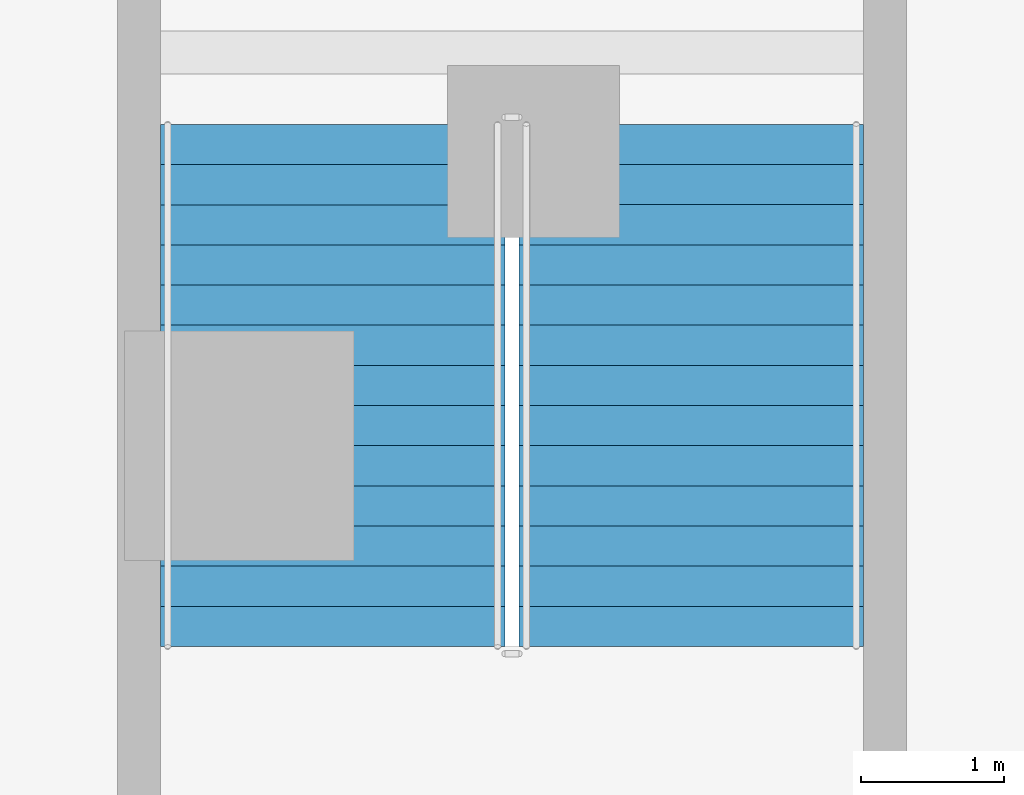
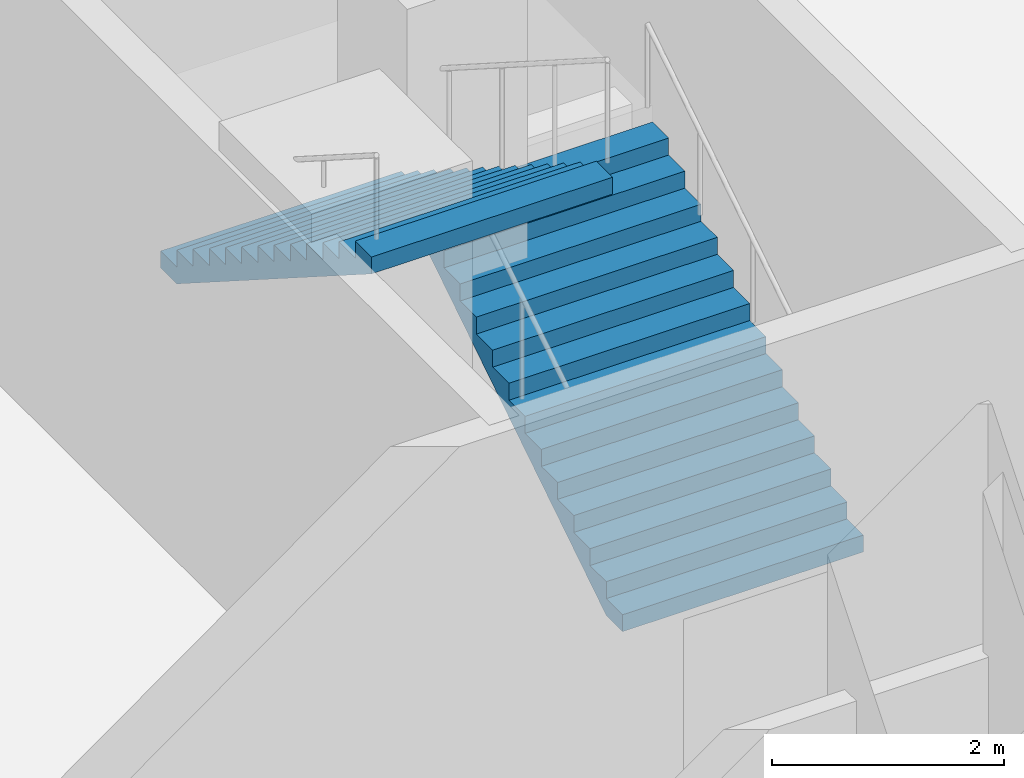
# One storey, part 21 of 35: 2 stair flights, 1 element without a shape of its own.
"""IFC4 building model written with IfcOpenShell, lengths in metres."""

from ifc_helpers import new_model, si_unit, direction, frame, origin, place, context, subcontext, project, spatial, triangles, source, transform, mapped, material, type_object, element, aggregate, save


model = new_model("IFC4")

# Units and contexts
model_context = context("Model", 3, precision=1e-05, world=origin(), true_north=direction((0.0, 1.0)))
body_context = subcontext(model_context, "Body", "Model", "MODEL_VIEW")
ifc_project = project(units=[si_unit("LENGTHUNIT", "METRE"), si_unit("AREAUNIT", "SQUARE_METRE"), si_unit("VOLUMEUNIT", "CUBIC_METRE"), si_unit("PLANEANGLEUNIT", "RADIAN"), si_unit("MASSUNIT", "GRAM", prefix="KILO")], contexts=[model_context])

# Site, building, storey
site_placement = place(None, origin())
site = spatial("IfcSite", under=ifc_project, at=site_placement, CompositionType="ELEMENT")
building_placement = place(site_placement, origin())
building = spatial("IfcBuilding", under=site, at=building_placement, Name="Ogive Portal Towers", CompositionType="ELEMENT")
storey_placement = place(building_placement, frame((0.0, 0.0, 18.5)))
storey = spatial("IfcBuildingStorey", under=building, at=storey_placement, Name="L03", CompositionType="ELEMENT", Elevation=18.5)

# Stair, stair flights
ifc_material = material(Name="Concrete C40/50", Category="concrete")
stair_type = type_object("IfcStairType", Name="INT-STAIR", PredefinedType="HALF_TURN_STAIR", material=ifc_material)
stair_placement = place(storey_placement, origin())
stair = element("IfcStair", 1, at=stair_placement, inside=storey, type_object=stair_type, Name="L03 Exit Stair ST-P1", PredefinedType="HALF_TURN_STAIR")
stair_flight_type = type_object("IfcStairFlightType", Name="INT-FLIGHT", PredefinedType="STRAIGHT", material=ifc_material)
shared_shape = source(origin(), body_context, "Body", "Tessellation", [
    triangles([(0.0, -1.199951171875, 0.0), (0.0, -0.6943359375, 0.0), (0.0, -0.35546875, 0.0), (0.0, -0.14990234375, 0.0), (0.0, -0.04443359375, 0.0), (0.0, -0.005615234375, 0.0), (0.0, 0.0, 0.0), (0.0, 0.005615234375, 0.0), (0.0, 0.04443359375, 0.0), (0.0, 0.14990234375, 0.0), (0.0, 0.35546875, 0.0), (0.0, 0.6943359375, 0.0), (0.0, 1.199951171875, 0.0), (0.0, -1.199951171875, 0.178466796875), (0.0, -0.6943359375, 0.178466796875), (0.0, -0.35546875, 0.178466796875), (0.0, -0.14990234375, 0.178466796875), (0.0, -0.04443359375, 0.178466796875), (0.0, -0.005615234375, 0.178466796875), (0.0, 0.0, 0.178466796875), (0.0, 0.005615234375, 0.178466796875), (0.0, 0.04443359375, 0.178466796875), (0.0, 0.14990234375, 0.178466796875), (0.0, 0.35546875, 0.178466796875), (0.0, 0.6943359375, 0.178466796875), (0.0, 1.199951171875, 0.178466796875), (0.280029296875, -1.199951171875, 0.178466796875), (0.280029296875, -0.6943359375, 0.178466796875), (0.280029296875, -0.35546875, 0.178466796875), (0.280029296875, -0.14990234375, 0.178466796875), (0.280029296875, -0.04443359375, 0.178466796875), (0.280029296875, -0.005615234375, 0.178466796875), (0.280029296875, 0.0, 0.178466796875), (0.280029296875, 0.005615234375, 0.178466796875), (0.280029296875, 0.04443359375, 0.178466796875), (0.280029296875, 0.14990234375, 0.178466796875), (0.280029296875, 0.35546875, 0.178466796875), (0.280029296875, 0.6943359375, 0.178466796875), (0.280029296875, 1.199951171875, 0.178466796875), (0.280029296875, -1.199951171875, 0.357177734375), (0.280029296875, -0.6943359375, 0.357177734375), (0.280029296875, -0.35546875, 0.357177734375), (0.280029296875, -0.14990234375, 0.357177734375), (0.280029296875, -0.04443359375, 0.357177734375), (0.280029296875, -0.005615234375, 0.357177734375), (0.280029296875, 0.0, 0.357177734375), (0.280029296875, 0.005615234375, 0.357177734375), (0.280029296875, 0.04443359375, 0.357177734375), (0.280029296875, 0.14990234375, 0.357177734375), (0.280029296875, 0.35546875, 0.357177734375), (0.280029296875, 0.6943359375, 0.357177734375), (0.280029296875, 1.199951171875, 0.357177734375), (0.56005859375, -1.199951171875, 0.357177734375), (0.56005859375, -0.6943359375, 0.357177734375), (0.56005859375, -0.35546875, 0.357177734375), (0.56005859375, -0.14990234375, 0.357177734375), (0.56005859375, -0.04443359375, 0.357177734375), (0.56005859375, -0.005615234375, 0.357177734375), (0.56005859375, 0.0, 0.357177734375), (0.56005859375, 0.005615234375, 0.357177734375), (0.56005859375, 0.04443359375, 0.357177734375), (0.56005859375, 0.14990234375, 0.357177734375), (0.56005859375, 0.35546875, 0.357177734375), (0.56005859375, 0.6943359375, 0.357177734375), (0.56005859375, 1.199951171875, 0.357177734375), (0.56005859375, -1.199951171875, 0.53564453125), (0.56005859375, -0.6943359375, 0.53564453125), (0.56005859375, -0.35546875, 0.53564453125), (0.56005859375, -0.14990234375, 0.53564453125), (0.56005859375, -0.04443359375, 0.53564453125), (0.56005859375, -0.005615234375, 0.53564453125), (0.56005859375, 0.0, 0.53564453125), (0.56005859375, 0.005615234375, 0.53564453125), (0.56005859375, 0.04443359375, 0.53564453125), (0.56005859375, 0.14990234375, 0.53564453125), (0.56005859375, 0.35546875, 0.53564453125), (0.56005859375, 0.6943359375, 0.53564453125), (0.56005859375, 1.199951171875, 0.53564453125), (0.840087890625, -1.199951171875, 0.53564453125), (0.840087890625, -0.6943359375, 0.53564453125), (0.840087890625, -0.35546875, 0.53564453125), (0.840087890625, -0.14990234375, 0.53564453125), (0.840087890625, -0.04443359375, 0.53564453125), (0.840087890625, -0.005615234375, 0.53564453125), (0.840087890625, 0.0, 0.53564453125), (0.840087890625, 0.005615234375, 0.53564453125), (0.840087890625, 0.04443359375, 0.53564453125), (0.840087890625, 0.14990234375, 0.53564453125), (0.840087890625, 0.35546875, 0.53564453125), (0.840087890625, 0.6943359375, 0.53564453125), (0.840087890625, 1.199951171875, 0.53564453125), (0.840087890625, -1.199951171875, 0.71435546875), (0.840087890625, -0.6943359375, 0.71435546875), (0.840087890625, -0.35546875, 0.71435546875), (0.840087890625, -0.14990234375, 0.71435546875), (0.840087890625, -0.04443359375, 0.71435546875), (0.840087890625, -0.005615234375, 0.71435546875), (0.840087890625, 0.0, 0.71435546875), (0.840087890625, 0.005615234375, 0.71435546875), (0.840087890625, 0.04443359375, 0.71435546875), (0.840087890625, 0.14990234375, 0.71435546875), (0.840087890625, 0.35546875, 0.71435546875), (0.840087890625, 0.6943359375, 0.71435546875), (0.840087890625, 1.199951171875, 0.71435546875), (1.1201171875, -1.199951171875, 0.71435546875), (1.1201171875, -0.6943359375, 0.71435546875), (1.1201171875, -0.35546875, 0.71435546875), (1.1201171875, -0.14990234375, 0.71435546875), (1.1201171875, -0.04443359375, 0.71435546875), (1.1201171875, -0.005615234375, 0.71435546875), (1.1201171875, 0.0, 0.71435546875), (1.1201171875, 0.005615234375, 0.71435546875), (1.1201171875, 0.04443359375, 0.71435546875), (1.1201171875, 0.14990234375, 0.71435546875), (1.1201171875, 0.35546875, 0.71435546875), (1.1201171875, 0.6943359375, 0.71435546875), (1.1201171875, 1.199951171875, 0.71435546875), (1.1201171875, -1.199951171875, 0.892822265625), (1.1201171875, -0.6943359375, 0.892822265625), (1.1201171875, -0.35546875, 0.892822265625), (1.1201171875, -0.14990234375, 0.892822265625), (1.1201171875, -0.04443359375, 0.892822265625), (1.1201171875, -0.005615234375, 0.892822265625), (1.1201171875, 0.0, 0.892822265625), (1.1201171875, 0.005615234375, 0.892822265625), (1.1201171875, 0.04443359375, 0.892822265625), (1.1201171875, 0.14990234375, 0.892822265625), (1.1201171875, 0.35546875, 0.892822265625), (1.1201171875, 0.6943359375, 0.892822265625), (1.1201171875, 1.199951171875, 0.892822265625), (1.39990234375, -1.199951171875, 0.892822265625), (1.39990234375, -0.6943359375, 0.892822265625), (1.39990234375, -0.35546875, 0.892822265625), (1.39990234375, -0.14990234375, 0.892822265625), (1.39990234375, -0.04443359375, 0.892822265625), (1.39990234375, -0.005615234375, 0.892822265625), (1.39990234375, 0.0, 0.892822265625), (1.39990234375, 0.005615234375, 0.892822265625), (1.39990234375, 0.04443359375, 0.892822265625), (1.39990234375, 0.14990234375, 0.892822265625), (1.39990234375, 0.35546875, 0.892822265625), (1.39990234375, 0.6943359375, 0.892822265625), (1.39990234375, 1.199951171875, 0.892822265625), (1.39990234375, -1.199951171875, 1.071533203125), (1.39990234375, -0.6943359375, 1.071533203125), (1.39990234375, -0.35546875, 1.071533203125), (1.39990234375, -0.14990234375, 1.071533203125), (1.39990234375, -0.04443359375, 1.071533203125), (1.39990234375, -0.005615234375, 1.071533203125), (1.39990234375, 0.0, 1.071533203125), (1.39990234375, 0.005615234375, 1.071533203125), (1.39990234375, 0.04443359375, 1.071533203125), (1.39990234375, 0.14990234375, 1.071533203125), (1.39990234375, 0.35546875, 1.071533203125), (1.39990234375, 0.6943359375, 1.071533203125), (1.39990234375, 1.199951171875, 1.071533203125), (1.679931640625, -1.199951171875, 1.071533203125), (1.679931640625, -0.6943359375, 1.071533203125), (1.679931640625, -0.35546875, 1.071533203125), (1.679931640625, -0.14990234375, 1.071533203125), (1.679931640625, -0.04443359375, 1.071533203125), (1.679931640625, -0.005615234375, 1.071533203125), (1.679931640625, 0.0, 1.071533203125), (1.679931640625, 0.005615234375, 1.071533203125), (1.679931640625, 0.04443359375, 1.071533203125), (1.679931640625, 0.14990234375, 1.071533203125), (1.679931640625, 0.35546875, 1.071533203125), (1.679931640625, 0.6943359375, 1.071533203125), (1.679931640625, 1.199951171875, 1.071533203125), (1.679931640625, -1.199951171875, 1.25), (1.679931640625, -0.6943359375, 1.25), (1.679931640625, -0.35546875, 1.25), (1.679931640625, -0.14990234375, 1.25), (1.679931640625, -0.04443359375, 1.25), (1.679931640625, -0.005615234375, 1.25), (1.679931640625, 0.0, 1.25), (1.679931640625, 0.005615234375, 1.25), (1.679931640625, 0.04443359375, 1.25), (1.679931640625, 0.14990234375, 1.25), (1.679931640625, 0.35546875, 1.25), (1.679931640625, 0.6943359375, 1.25), (1.679931640625, 1.199951171875, 1.25), (1.9599609375, -1.199951171875, 1.25), (1.9599609375, -0.6943359375, 1.25), (1.9599609375, -0.35546875, 1.25), (1.9599609375, -0.14990234375, 1.25), (1.9599609375, -0.04443359375, 1.25), (1.9599609375, -0.005615234375, 1.25), (1.9599609375, 0.0, 1.25), (1.9599609375, 0.005615234375, 1.25), (1.9599609375, 0.04443359375, 1.25), (1.9599609375, 0.14990234375, 1.25), (1.9599609375, 0.35546875, 1.25), (1.9599609375, 0.6943359375, 1.25), (1.9599609375, 1.199951171875, 1.25), (1.9599609375, -1.199951171875, 1.428466796875), (1.9599609375, -0.6943359375, 1.428466796875), (1.9599609375, -0.35546875, 1.428466796875), (1.9599609375, -0.14990234375, 1.428466796875), (1.9599609375, -0.04443359375, 1.428466796875), (1.9599609375, -0.005615234375, 1.428466796875), (1.9599609375, 0.0, 1.428466796875), (1.9599609375, 0.005615234375, 1.428466796875), (1.9599609375, 0.04443359375, 1.428466796875), (1.9599609375, 0.14990234375, 1.428466796875), (1.9599609375, 0.35546875, 1.428466796875), (1.9599609375, 0.6943359375, 1.428466796875), (1.9599609375, 1.199951171875, 1.428466796875), (2.239990234375, -1.199951171875, 1.428466796875), (2.239990234375, -0.6943359375, 1.428466796875), (2.239990234375, -0.35546875, 1.428466796875), (2.239990234375, -0.14990234375, 1.428466796875), (2.239990234375, -0.04443359375, 1.428466796875), (2.239990234375, -0.005615234375, 1.428466796875), (2.239990234375, 0.0, 1.428466796875), (2.239990234375, 0.005615234375, 1.428466796875), (2.239990234375, 0.04443359375, 1.428466796875), (2.239990234375, 0.14990234375, 1.428466796875), (2.239990234375, 0.35546875, 1.428466796875), (2.239990234375, 0.6943359375, 1.428466796875), (2.239990234375, 1.199951171875, 1.428466796875), (2.239990234375, -1.199951171875, 1.607177734375), (2.239990234375, -0.6943359375, 1.607177734375), (2.239990234375, -0.35546875, 1.607177734375), (2.239990234375, -0.14990234375, 1.607177734375), (2.239990234375, -0.04443359375, 1.607177734375), (2.239990234375, -0.005615234375, 1.607177734375), (2.239990234375, 0.0, 1.607177734375), (2.239990234375, 0.005615234375, 1.607177734375), (2.239990234375, 0.04443359375, 1.607177734375), (2.239990234375, 0.14990234375, 1.607177734375), (2.239990234375, 0.35546875, 1.607177734375), (2.239990234375, 0.6943359375, 1.607177734375), (2.239990234375, 1.199951171875, 1.607177734375), (2.52001953125, -1.199951171875, 1.607177734375), (2.52001953125, -0.6943359375, 1.607177734375), (2.52001953125, -0.35546875, 1.607177734375), (2.52001953125, -0.14990234375, 1.607177734375), (2.52001953125, -0.04443359375, 1.607177734375), (2.52001953125, -0.005615234375, 1.607177734375), (2.52001953125, 0.0, 1.607177734375), (2.52001953125, 0.005615234375, 1.607177734375), (2.52001953125, 0.04443359375, 1.607177734375), (2.52001953125, 0.14990234375, 1.607177734375), (2.52001953125, 0.35546875, 1.607177734375), (2.52001953125, 0.6943359375, 1.607177734375), (2.52001953125, 1.199951171875, 1.607177734375), (2.52001953125, -1.199951171875, 1.78564453125), (2.52001953125, -0.6943359375, 1.78564453125), (2.52001953125, -0.35546875, 1.78564453125), (2.52001953125, -0.14990234375, 1.78564453125), (2.52001953125, -0.04443359375, 1.78564453125), (2.52001953125, -0.005615234375, 1.78564453125), (2.52001953125, 0.0, 1.78564453125), (2.52001953125, 0.005615234375, 1.78564453125), (2.52001953125, 0.04443359375, 1.78564453125), (2.52001953125, 0.14990234375, 1.78564453125), (2.52001953125, 0.35546875, 1.78564453125), (2.52001953125, 0.6943359375, 1.78564453125), (2.52001953125, 1.199951171875, 1.78564453125), (2.800048828125, -1.199951171875, 1.78564453125), (2.800048828125, -0.6943359375, 1.78564453125), (2.800048828125, -0.35546875, 1.78564453125), (2.800048828125, -0.14990234375, 1.78564453125), (2.800048828125, -0.04443359375, 1.78564453125), (2.800048828125, -0.005615234375, 1.78564453125), (2.800048828125, 0.0, 1.78564453125), (2.800048828125, 0.005615234375, 1.78564453125), (2.800048828125, 0.04443359375, 1.78564453125), (2.800048828125, 0.14990234375, 1.78564453125), (2.800048828125, 0.35546875, 1.78564453125), (2.800048828125, 0.6943359375, 1.78564453125), (2.800048828125, 1.199951171875, 1.78564453125), (2.800048828125, -1.199951171875, 1.96435546875), (2.800048828125, -0.6943359375, 1.96435546875), (2.800048828125, -0.35546875, 1.96435546875), (2.800048828125, -0.14990234375, 1.96435546875), (2.800048828125, -0.04443359375, 1.96435546875), (2.800048828125, -0.005615234375, 1.96435546875), (2.800048828125, 0.0, 1.96435546875), (2.800048828125, 0.005615234375, 1.96435546875), (2.800048828125, 0.04443359375, 1.96435546875), (2.800048828125, 0.14990234375, 1.96435546875), (2.800048828125, 0.35546875, 1.96435546875), (2.800048828125, 0.6943359375, 1.96435546875), (2.800048828125, 1.199951171875, 1.96435546875), (3.080078125, -1.199951171875, 1.96435546875), (3.080078125, -0.6943359375, 1.96435546875), (3.080078125, -0.35546875, 1.96435546875), (3.080078125, -0.14990234375, 1.96435546875), (3.080078125, -0.04443359375, 1.96435546875), (3.080078125, -0.005615234375, 1.96435546875), (3.080078125, 0.0, 1.96435546875), (3.080078125, 0.005615234375, 1.96435546875), (3.080078125, 0.04443359375, 1.96435546875), (3.080078125, 0.14990234375, 1.96435546875), (3.080078125, 0.35546875, 1.96435546875), (3.080078125, 0.6943359375, 1.96435546875), (3.080078125, 1.199951171875, 1.96435546875), (3.080078125, -1.199951171875, 2.142822265625), (3.080078125, -0.6943359375, 2.142822265625), (3.080078125, -0.35546875, 2.142822265625), (3.080078125, -0.14990234375, 2.142822265625), (3.080078125, -0.04443359375, 2.142822265625), (3.080078125, -0.005615234375, 2.142822265625), (3.080078125, 0.0, 2.142822265625), (3.080078125, 0.005615234375, 2.142822265625), (3.080078125, 0.04443359375, 2.142822265625), (3.080078125, 0.14990234375, 2.142822265625), (3.080078125, 0.35546875, 2.142822265625), (3.080078125, 0.6943359375, 2.142822265625), (3.080078125, 1.199951171875, 2.142822265625), (3.360107421875, -1.199951171875, 2.142822265625), (3.360107421875, -0.6943359375, 2.142822265625), (3.360107421875, -0.35546875, 2.142822265625), (3.360107421875, -0.14990234375, 2.142822265625), (3.360107421875, -0.04443359375, 2.142822265625), (3.360107421875, -0.005615234375, 2.142822265625), (3.360107421875, 0.0, 2.142822265625), (3.360107421875, 0.005615234375, 2.142822265625), (3.360107421875, 0.04443359375, 2.142822265625), (3.360107421875, 0.14990234375, 2.142822265625), (3.360107421875, 0.35546875, 2.142822265625), (3.360107421875, 0.6943359375, 2.142822265625), (3.360107421875, 1.199951171875, 2.142822265625), (3.360107421875, -1.199951171875, 2.321533203125), (3.360107421875, -0.6943359375, 2.321533203125), (3.360107421875, -0.35546875, 2.321533203125), (3.360107421875, -0.14990234375, 2.321533203125), (3.360107421875, -0.04443359375, 2.321533203125), (3.360107421875, -0.005615234375, 2.321533203125), (3.360107421875, 0.0, 2.321533203125), (3.360107421875, 0.005615234375, 2.321533203125), (3.360107421875, 0.04443359375, 2.321533203125), (3.360107421875, 0.14990234375, 2.321533203125), (3.360107421875, 0.35546875, 2.321533203125), (3.360107421875, 0.6943359375, 2.321533203125), (3.360107421875, 1.199951171875, 2.321533203125), (3.639892578125, -1.199951171875, 2.321533203125), (3.639892578125, -0.6943359375, 2.321533203125), (3.639892578125, -0.35546875, 2.321533203125), (3.639892578125, -0.14990234375, 2.321533203125), (3.639892578125, -0.04443359375, 2.321533203125), (3.639892578125, -0.005615234375, 2.321533203125), (3.639892578125, 0.0, 2.321533203125), (3.639892578125, 0.005615234375, 2.321533203125), (3.639892578125, 0.04443359375, 2.321533203125), (3.639892578125, 0.14990234375, 2.321533203125), (3.639892578125, 0.35546875, 2.321533203125), (3.639892578125, 0.6943359375, 2.321533203125), (3.639892578125, 1.199951171875, 2.321533203125), (3.639892578125, -1.199951171875, 2.1435546875), (3.639892578125, -0.6943359375, 2.1435546875), (3.639892578125, -0.35546875, 2.1435546875), (3.639892578125, -0.14990234375, 2.1435546875), (3.639892578125, -0.04443359375, 2.1435546875), (3.639892578125, -0.005615234375, 2.1435546875), (3.639892578125, 0.0, 2.1435546875), (3.639892578125, 0.005615234375, 2.1435546875), (3.639892578125, 0.04443359375, 2.1435546875), (3.639892578125, 0.14990234375, 2.1435546875), (3.639892578125, 0.35546875, 2.1435546875), (3.639892578125, 0.6943359375, 2.1435546875), (3.639892578125, 1.199951171875, 2.1435546875), (0.27880859375, -1.199951171875, 0.0), (0.27880859375, -0.6943359375, 0.0), (0.27880859375, -0.35546875, 0.0), (0.27880859375, -0.14990234375, 0.0), (0.27880859375, -0.04443359375, 0.0), (0.27880859375, -0.005615234375, 0.0), (0.27880859375, 0.0, 0.0), (0.27880859375, 0.005615234375, 0.0), (0.27880859375, 0.04443359375, 0.0), (0.27880859375, 0.14990234375, 0.0), (0.27880859375, 0.35546875, 0.0), (0.27880859375, 0.6943359375, 0.0), (0.27880859375, 1.199951171875, 0.0)], [[1, 14, 15], [1, 15, 2], [2, 15, 16], [2, 16, 3], [3, 16, 17], [3, 17, 4], [4, 17, 18], [4, 18, 5], [5, 18, 19], [5, 19, 6], [6, 19, 20], [6, 20, 7], [7, 20, 21], [7, 21, 8], [8, 21, 22], [8, 22, 9], [9, 22, 23], [9, 23, 10], [10, 23, 24], [10, 24, 11], [11, 24, 25], [11, 25, 12], [12, 25, 26], [12, 26, 13], [14, 27, 28], [14, 28, 15], [15, 28, 29], [15, 29, 16], [16, 29, 30], [16, 30, 17], [17, 30, 31], [17, 31, 18], [18, 31, 32], [18, 32, 19], [19, 32, 33], [19, 33, 20], [20, 33, 34], [20, 34, 21], [21, 34, 35], [21, 35, 22], [22, 35, 36], [22, 36, 23], [23, 36, 37], [23, 37, 24], [24, 37, 38], [24, 38, 25], [25, 38, 39], [25, 39, 26], [27, 40, 41], [27, 41, 28], [28, 41, 42], [28, 42, 29], [29, 42, 43], [29, 43, 30], [30, 43, 44], [30, 44, 31], [31, 44, 45], [31, 45, 32], [32, 45, 46], [32, 46, 33], [33, 46, 47], [33, 47, 34], [34, 47, 48], [34, 48, 35], [35, 48, 49], [35, 49, 36], [36, 49, 50], [36, 50, 37], [37, 50, 51], [37, 51, 38], [38, 51, 52], [38, 52, 39], [40, 53, 54], [40, 54, 41], [41, 54, 55], [41, 55, 42], [42, 55, 56], [42, 56, 43], [43, 56, 57], [43, 57, 44], [44, 57, 58], [44, 58, 45], [45, 58, 59], [45, 59, 46], [46, 59, 60], [46, 60, 47], [47, 60, 61], [47, 61, 48], [48, 61, 62], [48, 62, 49], [49, 62, 63], [49, 63, 50], [50, 63, 64], [50, 64, 51], [51, 64, 65], [51, 65, 52], [53, 66, 67], [53, 67, 54], [54, 67, 68], [54, 68, 55], [55, 68, 69], [55, 69, 56], [56, 69, 70], [56, 70, 57], [57, 70, 71], [57, 71, 58], [58, 71, 72], [58, 72, 59], [59, 72, 73], [59, 73, 60], [60, 73, 74], [60, 74, 61], [61, 74, 75], [61, 75, 62], [62, 75, 76], [62, 76, 63], [63, 76, 77], [63, 77, 64], [64, 77, 78], [64, 78, 65], [66, 79, 80], [66, 80, 67], [67, 80, 81], [67, 81, 68], [68, 81, 82], [68, 82, 69], [69, 82, 83], [69, 83, 70], [70, 83, 84], [70, 84, 71], [71, 84, 85], [71, 85, 72], [72, 85, 86], [72, 86, 73], [73, 86, 87], [73, 87, 74], [74, 87, 88], [74, 88, 75], [75, 88, 89], [75, 89, 76], [76, 89, 90], [76, 90, 77], [77, 90, 91], [77, 91, 78], [79, 92, 93], [79, 93, 80], [80, 93, 94], [80, 94, 81], [81, 94, 95], [81, 95, 82], [82, 95, 96], [82, 96, 83], [83, 96, 97], [83, 97, 84], [84, 97, 98], [84, 98, 85], [85, 98, 99], [85, 99, 86], [86, 99, 100], [86, 100, 87], [87, 100, 101], [87, 101, 88], [88, 101, 102], [88, 102, 89], [89, 102, 103], [89, 103, 90], [90, 103, 104], [90, 104, 91], [92, 105, 106], [92, 106, 93], [93, 106, 107], [93, 107, 94], [94, 107, 108], [94, 108, 95], [95, 108, 109], [95, 109, 96], [96, 109, 110], [96, 110, 97], [97, 110, 111], [97, 111, 98], [98, 111, 112], [98, 112, 99], [99, 112, 113], [99, 113, 100], [100, 113, 114], [100, 114, 101], [101, 114, 115], [101, 115, 102], [102, 115, 116], [102, 116, 103], [103, 116, 117], [103, 117, 104], [105, 118, 119], [105, 119, 106], [106, 119, 120], [106, 120, 107], [107, 120, 121], [107, 121, 108], [108, 121, 122], [108, 122, 109], [109, 122, 123], [109, 123, 110], [110, 123, 124], [110, 124, 111], [111, 124, 125], [111, 125, 112], [112, 125, 126], [112, 126, 113], [113, 126, 127], [113, 127, 114], [114, 127, 128], [114, 128, 115], [115, 128, 129], [115, 129, 116], [116, 129, 130], [116, 130, 117], [118, 131, 132], [118, 132, 119], [119, 132, 133], [119, 133, 120], [120, 133, 134], [120, 134, 121], [121, 134, 135], [121, 135, 122], [122, 135, 136], [122, 136, 123], [123, 136, 137], [123, 137, 124], [124, 137, 138], [124, 138, 125], [125, 138, 139], [125, 139, 126], [126, 139, 140], [126, 140, 127], [127, 140, 141], [127, 141, 128], [128, 141, 142], [128, 142, 129], [129, 142, 143], [129, 143, 130], [131, 144, 145], [131, 145, 132], [132, 145, 146], [132, 146, 133], [133, 146, 147], [133, 147, 134], [134, 147, 148], [134, 148, 135], [135, 148, 149], [135, 149, 136], [136, 149, 150], [136, 150, 137], [137, 150, 151], [137, 151, 138], [138, 151, 152], [138, 152, 139], [139, 152, 153], [139, 153, 140], [140, 153, 154], [140, 154, 141], [141, 154, 155], [141, 155, 142], [142, 155, 156], [142, 156, 143], [144, 157, 158], [144, 158, 145], [145, 158, 159], [145, 159, 146], [146, 159, 160], [146, 160, 147], [147, 160, 161], [147, 161, 148], [148, 161, 162], [148, 162, 149], [149, 162, 163], [149, 163, 150], [150, 163, 164], [150, 164, 151], [151, 164, 165], [151, 165, 152], [152, 165, 166], [152, 166, 153], [153, 166, 167], [153, 167, 154], [154, 167, 168], [154, 168, 155], [155, 168, 169], [155, 169, 156], [157, 170, 171], [157, 171, 158], [158, 171, 172], [158, 172, 159], [159, 172, 173], [159, 173, 160], [160, 173, 174], [160, 174, 161], [161, 174, 175], [161, 175, 162], [162, 175, 176], [162, 176, 163], [163, 176, 177], [163, 177, 164], [164, 177, 178], [164, 178, 165], [165, 178, 179], [165, 179, 166], [166, 179, 180], [166, 180, 167], [167, 180, 181], [167, 181, 168], [168, 181, 182], [168, 182, 169], [170, 183, 184], [170, 184, 171], [171, 184, 185], [171, 185, 172], [172, 185, 186], [172, 186, 173], [173, 186, 187], [173, 187, 174], [174, 187, 188], [174, 188, 175], [175, 188, 189], [175, 189, 176], [176, 189, 190], [176, 190, 177], [177, 190, 191], [177, 191, 178], [178, 191, 192], [178, 192, 179], [179, 192, 193], [179, 193, 180], [180, 193, 194], [180, 194, 181], [181, 194, 195], [181, 195, 182], [183, 196, 197], [183, 197, 184], [184, 197, 198], [184, 198, 185], [185, 198, 199], [185, 199, 186], [186, 199, 200], [186, 200, 187], [187, 200, 201], [187, 201, 188], [188, 201, 202], [188, 202, 189], [189, 202, 203], [189, 203, 190], [190, 203, 204], [190, 204, 191], [191, 204, 205], [191, 205, 192], [192, 205, 206], [192, 206, 193], [193, 206, 207], [193, 207, 194], [194, 207, 208], [194, 208, 195], [196, 209, 210], [196, 210, 197], [197, 210, 211], [197, 211, 198], [198, 211, 212], [198, 212, 199], [199, 212, 213], [199, 213, 200], [200, 213, 214], [200, 214, 201], [201, 214, 215], [201, 215, 202], [202, 215, 216], [202, 216, 203], [203, 216, 217], [203, 217, 204], [204, 217, 218], [204, 218, 205], [205, 218, 219], [205, 219, 206], [206, 219, 220], [206, 220, 207], [207, 220, 221], [207, 221, 208], [209, 222, 223], [209, 223, 210], [210, 223, 224], [210, 224, 211], [211, 224, 225], [211, 225, 212], [212, 225, 226], [212, 226, 213], [213, 226, 227], [213, 227, 214], [214, 227, 228], [214, 228, 215], [215, 228, 229], [215, 229, 216], [216, 229, 230], [216, 230, 217], [217, 230, 231], [217, 231, 218], [218, 231, 232], [218, 232, 219], [219, 232, 233], [219, 233, 220], [220, 233, 234], [220, 234, 221], [222, 235, 236], [222, 236, 223], [223, 236, 237], [223, 237, 224], [224, 237, 238], [224, 238, 225], [225, 238, 239], [225, 239, 226], [226, 239, 240], [226, 240, 227], [227, 240, 241], [227, 241, 228], [228, 241, 242], [228, 242, 229], [229, 242, 243], [229, 243, 230], [230, 243, 244], [230, 244, 231], [231, 244, 245], [231, 245, 232], [232, 245, 246], [232, 246, 233], [233, 246, 247], [233, 247, 234], [235, 248, 249], [235, 249, 236], [236, 249, 250], [236, 250, 237], [237, 250, 251], [237, 251, 238], [238, 251, 252], [238, 252, 239], [239, 252, 253], [239, 253, 240], [240, 253, 254], [240, 254, 241], [241, 254, 255], [241, 255, 242], [242, 255, 256], [242, 256, 243], [243, 256, 257], [243, 257, 244], [244, 257, 258], [244, 258, 245], [245, 258, 259], [245, 259, 246], [246, 259, 260], [246, 260, 247], [248, 261, 262], [248, 262, 249], [249, 262, 263], [249, 263, 250], [250, 263, 264], [250, 264, 251], [251, 264, 265], [251, 265, 252], [252, 265, 266], [252, 266, 253], [253, 266, 267], [253, 267, 254], [254, 267, 268], [254, 268, 255], [255, 268, 269], [255, 269, 256], [256, 269, 270], [256, 270, 257], [257, 270, 271], [257, 271, 258], [258, 271, 272], [258, 272, 259], [259, 272, 273], [259, 273, 260], [261, 274, 275], [261, 275, 262], [262, 275, 276], [262, 276, 263], [263, 276, 277], [263, 277, 264], [264, 277, 278], [264, 278, 265], [265, 278, 279], [265, 279, 266], [266, 279, 280], [266, 280, 267], [267, 280, 281], [267, 281, 268], [268, 281, 282], [268, 282, 269], [269, 282, 283], [269, 283, 270], [270, 283, 284], [270, 284, 271], [271, 284, 285], [271, 285, 272], [272, 285, 286], [272, 286, 273], [274, 287, 288], [274, 288, 275], [275, 288, 289], [275, 289, 276], [276, 289, 290], [276, 290, 277], [277, 290, 291], [277, 291, 278], [278, 291, 292], [278, 292, 279], [279, 292, 293], [279, 293, 280], [280, 293, 294], [280, 294, 281], [281, 294, 295], [281, 295, 282], [282, 295, 296], [282, 296, 283], [283, 296, 297], [283, 297, 284], [284, 297, 298], [284, 298, 285], [285, 298, 299], [285, 299, 286], [287, 300, 301], [287, 301, 288], [288, 301, 302], [288, 302, 289], [289, 302, 303], [289, 303, 290], [290, 303, 304], [290, 304, 291], [291, 304, 305], [291, 305, 292], [292, 305, 306], [292, 306, 293], [293, 306, 307], [293, 307, 294], [294, 307, 308], [294, 308, 295], [295, 308, 309], [295, 309, 296], [296, 309, 310], [296, 310, 297], [297, 310, 311], [297, 311, 298], [298, 311, 312], [298, 312, 299], [300, 313, 314], [300, 314, 301], [301, 314, 315], [301, 315, 302], [302, 315, 316], [302, 316, 303], [303, 316, 317], [303, 317, 304], [304, 317, 318], [304, 318, 305], [305, 318, 319], [305, 319, 306], [306, 319, 320], [306, 320, 307], [307, 320, 321], [307, 321, 308], [308, 321, 322], [308, 322, 309], [309, 322, 323], [309, 323, 310], [310, 323, 324], [310, 324, 311], [311, 324, 325], [311, 325, 312], [313, 326, 327], [313, 327, 314], [314, 327, 328], [314, 328, 315], [315, 328, 329], [315, 329, 316], [316, 329, 330], [316, 330, 317], [317, 330, 331], [317, 331, 318], [318, 331, 332], [318, 332, 319], [319, 332, 333], [319, 333, 320], [320, 333, 334], [320, 334, 321], [321, 334, 335], [321, 335, 322], [322, 335, 336], [322, 336, 323], [323, 336, 337], [323, 337, 324], [324, 337, 338], [324, 338, 325], [326, 339, 340], [326, 340, 327], [327, 340, 341], [327, 341, 328], [328, 341, 342], [328, 342, 329], [329, 342, 343], [329, 343, 330], [330, 343, 344], [330, 344, 331], [331, 344, 345], [331, 345, 332], [332, 345, 346], [332, 346, 333], [333, 346, 347], [333, 347, 334], [334, 347, 348], [334, 348, 335], [335, 348, 349], [335, 349, 336], [336, 349, 350], [336, 350, 337], [337, 350, 351], [337, 351, 338], [339, 352, 353], [339, 353, 340], [340, 353, 354], [340, 354, 341], [341, 354, 355], [341, 355, 342], [342, 355, 356], [342, 356, 343], [343, 356, 357], [343, 357, 344], [344, 357, 358], [344, 358, 345], [345, 358, 359], [345, 359, 346], [346, 359, 360], [346, 360, 347], [347, 360, 361], [347, 361, 348], [348, 361, 362], [348, 362, 349], [349, 362, 363], [349, 363, 350], [350, 363, 364], [350, 364, 351], [352, 365, 366], [352, 366, 353], [353, 366, 367], [353, 367, 354], [354, 367, 368], [354, 368, 355], [355, 368, 369], [355, 369, 356], [356, 369, 370], [356, 370, 357], [357, 370, 371], [357, 371, 358], [358, 371, 372], [358, 372, 359], [359, 372, 373], [359, 373, 360], [360, 373, 374], [360, 374, 361], [361, 374, 375], [361, 375, 362], [362, 375, 376], [362, 376, 363], [363, 376, 377], [363, 377, 364], [365, 1, 2], [365, 2, 366], [366, 2, 3], [366, 3, 367], [367, 3, 4], [367, 4, 368], [368, 4, 5], [368, 5, 369], [369, 5, 6], [369, 6, 370], [370, 6, 7], [370, 7, 371], [371, 7, 8], [371, 8, 372], [372, 8, 9], [372, 9, 373], [373, 9, 10], [373, 10, 374], [374, 10, 11], [374, 11, 375], [375, 11, 12], [375, 12, 376], [376, 12, 13], [376, 13, 377], [1, 365, 352], [13, 364, 377], [352, 339, 326], [364, 338, 351], [352, 326, 313], [364, 325, 338], [313, 300, 287], [325, 299, 312], [352, 313, 287], [364, 299, 325], [287, 274, 261], [299, 273, 286], [352, 287, 261], [364, 273, 299], [261, 248, 235], [273, 247, 260], [352, 261, 235], [364, 247, 273], [235, 222, 209], [247, 221, 234], [352, 235, 209], [364, 221, 247], [209, 196, 183], [221, 195, 208], [352, 209, 183], [364, 195, 221], [183, 170, 157], [195, 169, 182], [352, 183, 157], [364, 169, 195], [157, 144, 131], [169, 143, 156], [352, 157, 131], [364, 143, 169], [131, 118, 105], [143, 117, 130], [352, 131, 105], [364, 117, 143], [105, 92, 79], [117, 91, 104], [352, 105, 79], [364, 91, 117], [79, 66, 53], [91, 65, 78], [352, 79, 53], [364, 65, 91], [53, 40, 27], [65, 39, 52], [352, 53, 27], [364, 39, 65], [1, 352, 27], [13, 39, 364], [27, 14, 1], [39, 13, 26]], closed=True),
])
stair_flight_1_placement = place(storey_placement, frame((95.60009765625, 36.050048828125, 0.0), z_axis=(0.0, 0.0, 1.0), x_axis=(0.0, 1.0, 0.0)))
stair_flight_1 = element("IfcStairFlight", 2, at=stair_flight_1_placement, type_object=stair_flight_type, Name="ST-P1 flight 1", NumberOfRisers=14, NumberOfTreads=13, PredefinedType="STRAIGHT", RiserHeight=0.178571429, TreadLength=0.28, context=body_context, shape_type="MappedRepresentation", body=[
    mapped(shared_shape, transform((0.0, 0.0, 0.0), scale=1.0)),
])
stair_flight_2_placement = place(storey_placement, frame((93.10009765625, 39.68994140625, 2.5), z_axis=(0.0, 0.0, 1.0), x_axis=(0.0, -1.0, 0.0)))
stair_flight_2 = element("IfcStairFlight", 3, at=stair_flight_2_placement, type_object=stair_flight_type, Name="ST-P1 flight 2", NumberOfRisers=14, NumberOfTreads=13, PredefinedType="STRAIGHT", RiserHeight=0.178571429, TreadLength=0.28, context=body_context, shape_type="MappedRepresentation", body=[
    mapped(shared_shape, transform((0.0, 0.0, 0.0), scale=1.0)),
])
aggregate(stair, [stair_flight_1, stair_flight_2])

save(model, "model.ifc")
